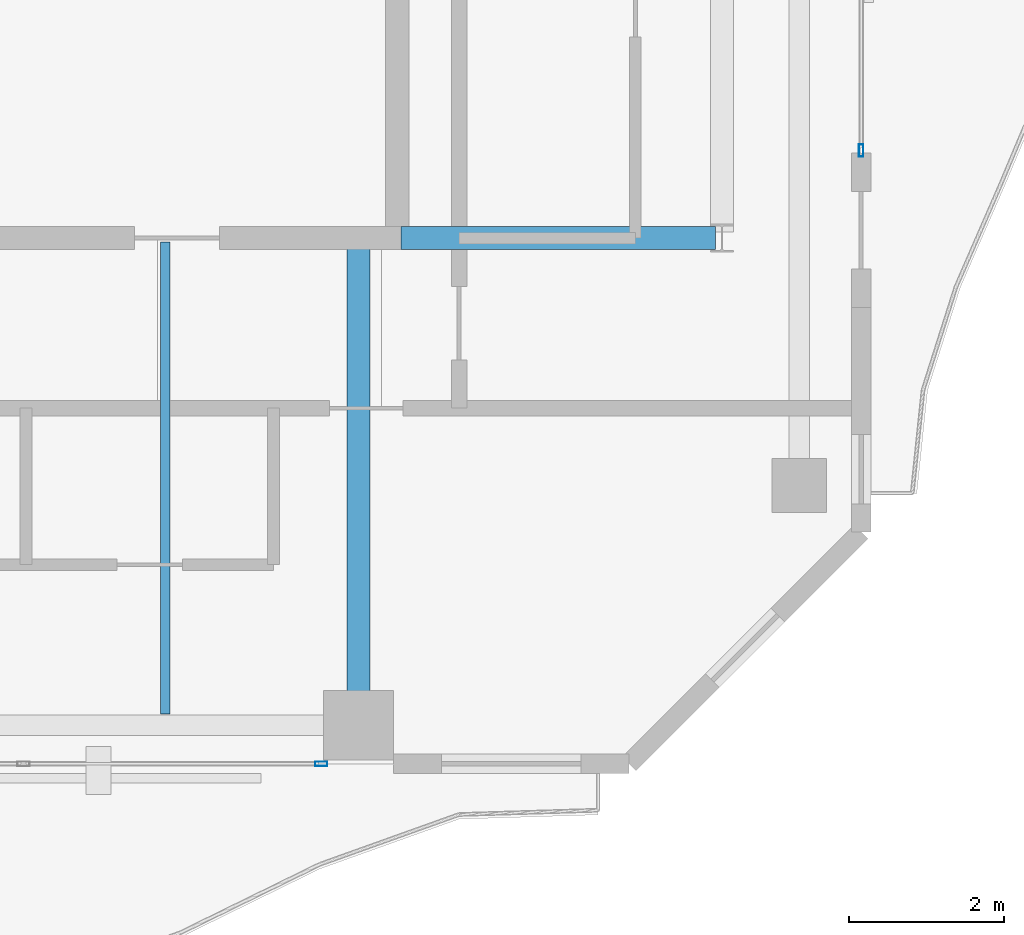
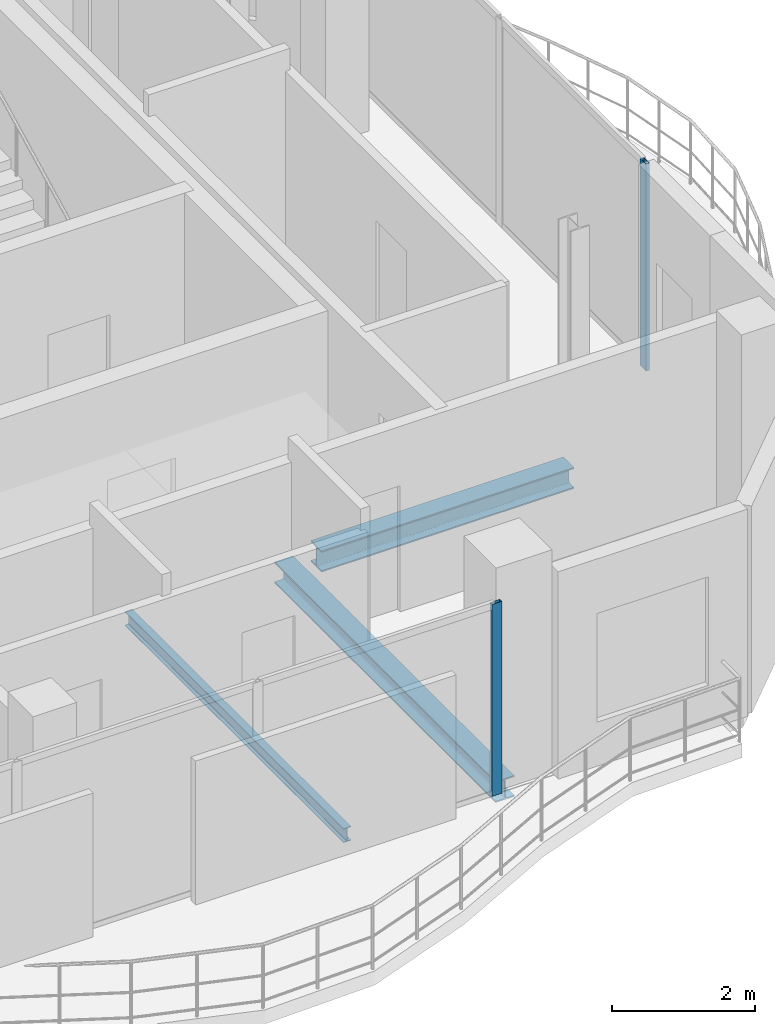
# One storey, part 14 of 22: 3 beams, 2 members, 2 elements without a shape of their own.
"""IFC4 building model written with IfcOpenShell, lengths in metres."""

import ifcopenshell
import ifcopenshell.guid

model = None  # the IFC model being written
_history = None  # IfcOwnerHistory: only IFC2X3 demands one
_inside = {}  # id of a spatial element -> (the spatial element, [elements in it])
_under = {}  # id of a project, library or spatial element -> (it, [spatial elements below it])
_declared = {}  # id of a project -> (the project, [libraries it declares])
_typed = {}  # id of a type object -> (the type object, [elements of that type])
_made_of = {}  # id of a material, layer set ... -> (it, [elements and type objects made of it])


def new_model(schema):
    """Start an empty IFC model of exactly this schema.

    Asked for "IFC4X3", IfcOpenShell would pick the latest addendum, in which some entities
    have other attributes; the version numbers below select the first issue.
    IFC2X3 requires an IfcOwnerHistory on every rooted entity: one is made here for all.
    """
    global model, _history
    if schema == "IFC4X3":
        model = ifcopenshell.file(schema_version=(4, 3, 0, 0))
    else:
        model = ifcopenshell.file(schema=schema)
    _inside.clear()
    _under.clear()
    _declared.clear()
    _typed.clear()
    _made_of.clear()
    _history = None
    if model.schema == "IFC2X3":
        org = make("IfcOrganization", Name="unknown")
        user = make(
            "IfcPersonAndOrganization",
            ThePerson=make("IfcPerson", FamilyName="unknown"),
            TheOrganization=org,
        )
        app = make(
            "IfcApplication",
            ApplicationDeveloper=org,
            Version="unknown",
            ApplicationFullName="unknown",
            ApplicationIdentifier="unknown",
        )
        _history = make(
            "IfcOwnerHistory",
            OwningUser=user,
            OwningApplication=app,
            ChangeAction="ADDED",
            CreationDate=0,
        )
    return model


def make(cls, **values):
    """One entity of the class cls with the attributes given. An attribute that is None is left unset."""
    return model.create_entity(
        cls, **{name: value for name, value in values.items() if value is not None}
    )


def rooted(cls, **values):
    """An entity with a GlobalId (a new one), such as an element, a storey or a relation."""
    return make(cls, GlobalId=ifcopenshell.guid.new(), OwnerHistory=_history, **values)


def si_unit(unit_type, name, prefix=None):
    """IfcSIUnit, for example si_unit("LENGTHUNIT", "METRE", prefix="MILLI")."""
    return make("IfcSIUnit", UnitType=unit_type, Prefix=prefix, Name=name)


def assignment(units):
    """IfcUnitAssignment: the units of a project."""
    return None if units is None else make("IfcUnitAssignment", Units=units)


def point(xyz):
    """IfcCartesianPoint."""
    return None if xyz is None else make("IfcCartesianPoint", Coordinates=xyz)


def direction(xyz):
    """IfcDirection."""
    return None if xyz is None else make("IfcDirection", DirectionRatios=xyz)


def frame(location, z_axis=None, x_axis=None):
    """IfcAxis2Placement3D, a coordinate frame: its origin and axes. An axis left out is left unset."""
    return make(
        "IfcAxis2Placement3D",
        Location=point(location),
        Axis=direction(z_axis),
        RefDirection=direction(x_axis),
    )


def frame_2d(location, x_axis=None):
    """IfcAxis2Placement2D, a coordinate frame in the plane: its origin and x axis."""
    return make(
        "IfcAxis2Placement2D", Location=point(location), RefDirection=direction(x_axis)
    )


def origin():
    """The frame at (0, 0, 0) with its axes left unset."""
    return frame((0.0, 0.0, 0.0))


def origin_2d():
    """The frame at (0, 0) in the plane with its x axis left unset."""
    return frame_2d((0.0, 0.0))


def place(relative_to, where):
    """IfcLocalPlacement: puts the frame where relative to a parent placement (None: the world)."""
    return make(
        "IfcLocalPlacement", PlacementRelTo=relative_to, RelativePlacement=where
    )


def context(
    kind, dimensions, precision=None, world=None, true_north=None, identifier=None
):
    """IfcGeometricRepresentationContext, for example the 3D "Model" context."""
    return make(
        "IfcGeometricRepresentationContext",
        ContextIdentifier=identifier,
        ContextType=kind,
        CoordinateSpaceDimension=dimensions,
        Precision=precision,
        WorldCoordinateSystem=world,
        TrueNorth=true_north,
    )


def subcontext(parent, identifier, kind, view, scale=None):
    """IfcGeometricRepresentationSubContext, for example "Body" below "Model"."""
    return make(
        "IfcGeometricRepresentationSubContext",
        ContextIdentifier=identifier,
        ContextType=kind,
        ParentContext=parent,
        TargetScale=scale,
        TargetView=view,
    )


def project(units=None, contexts=None):
    """IfcProject with its units and contexts."""
    return rooted(
        "IfcProject",
        Name="project",
        RepresentationContexts=contexts,
        UnitsInContext=assignment(units),
    )


def spatial(cls, under=None, at=None, **own):
    """A site, building, storey or space (cls), placed at a placement, below another one or the project."""
    s = rooted(cls, ObjectPlacement=at, **own)
    if under is not None:
        _under.setdefault(under.id(), (under, []))[1].append(s)
    return s


def profile(cls, at=None, kind="AREA", **sizes):
    """A parametric profile (cls). Its sizes go by their IFC names, for example OverallWidth=200.0."""
    return make(cls, ProfileType=kind, Position=at, **sizes)


def hollow_rectangle(**sizes):
    """IfcRectangleHollowProfileDef."""
    return profile("IfcRectangleHollowProfileDef", **sizes)


def i_section(**sizes):
    """IfcIShapeProfileDef."""
    return profile("IfcIShapeProfileDef", **sizes)


def extrude(swept, where, along, depth):
    """IfcExtrudedAreaSolid: the profile swept, set in the frame where, extruded along a direction by depth."""
    return make(
        "IfcExtrudedAreaSolid",
        SweptArea=swept,
        Position=where,
        ExtrudedDirection=direction(along),
        Depth=depth,
    )


def shape(context_of_items, identifier, shape_type, items):
    """IfcShapeRepresentation: the items that make up one representation, for example the "Body"."""
    return make(
        "IfcShapeRepresentation",
        ContextOfItems=context_of_items,
        RepresentationIdentifier=identifier,
        RepresentationType=shape_type,
        Items=items,
    )


def material(Name=None, Category=None):
    """IfcMaterial."""
    return make("IfcMaterial", Name=Name, Category=Category)


def layer(
    of_material, thickness, ventilated=None, Name=None, Category=None, Priority=None
):
    """IfcMaterialLayer: one layer of a wall or slab, of a material (None: an air gap)."""
    return make(
        "IfcMaterialLayer",
        Material=of_material,
        LayerThickness=thickness,
        IsVentilated=ventilated,
        Name=Name,
        Category=Category,
        Priority=Priority,
    )


def layer_set(layers, Name=None):
    """IfcMaterialLayerSet."""
    return make("IfcMaterialLayerSet", MaterialLayers=layers, LayerSetName=Name)


def material_profile(
    of_material, cross_section, Name=None, Category=None, Priority=None
):
    """IfcMaterialProfile: a cross section and its material."""
    return make(
        "IfcMaterialProfile",
        Name=Name,
        Material=of_material,
        Profile=cross_section,
        Priority=Priority,
        Category=Category,
    )


def profile_set(profiles, Name=None, composite=None):
    """IfcMaterialProfileSet."""
    return make(
        "IfcMaterialProfileSet",
        Name=Name,
        MaterialProfiles=profiles,
        CompositeProfile=composite,
    )


def made_of(thing, what):
    """Note that an element or type object is made of a material, layer set ...; save() writes the relation."""
    if what is not None:
        _made_of.setdefault(what.id(), (what, []))[1].append(thing)
    return thing


def type_object(cls, material=None, **own):
    """A type object (cls), such as IfcWallType, which elements share."""
    return made_of(rooted(cls, **own), material)


def element(
    cls,
    number,
    at=None,
    inside=None,
    cuts=None,
    type_object=None,
    material=None,
    context=None,
    identifier="Body",
    shape_type=None,
    held_by="IfcProductDefinitionShape",
    body=None,
    shapes=None,
    **own,
):
    """One element of the class cls, such as IfcWall. Its Tag is "e" and its number.

    at: its placement. inside: the storey or other place that contains it. cuts: it is an
    opening in that element (IfcRelVoidsElement). A single representation is given by context,
    identifier, shape_type and body (its items); several are given by shapes. held_by: the class
    of the entity that holds the representations. save() writes the other relations.
    """
    e = rooted(cls, Tag="e%d" % number, ObjectPlacement=at, **own)
    if body is not None:
        shapes = [shape(context, identifier, shape_type, body)]
    if shapes is not None:
        e.Representation = make(held_by, Representations=shapes)
    if inside is not None:
        _inside.setdefault(inside.id(), (inside, []))[1].append(e)
    if cuts is not None:
        rooted(
            "IfcRelVoidsElement", RelatingBuildingElement=cuts, RelatedOpeningElement=e
        )
    if type_object is not None:
        _typed.setdefault(type_object.id(), (type_object, []))[1].append(e)
    return made_of(e, material)


def aggregate(whole, parts):
    """IfcRelAggregates: a whole, such as a stair, and the parts it consists of."""
    return rooted("IfcRelAggregates", RelatingObject=whole, RelatedObjects=parts)


def save(model, path):
    """Write the relations noted so far, then the file.

    IfcRelAggregates (storeys below a building ...), IfcRelContainedInSpatialStructure (elements
    in a storey), IfcRelDefinesByType, IfcRelAssociatesMaterial and IfcRelDeclares: one each for
    every whole, place, type object, material and project.
    """
    for whole, parts in _under.values():
        aggregate(whole, parts)
    for where, things in _inside.values():
        rooted(
            "IfcRelContainedInSpatialStructure",
            RelatedElements=things,
            RelatingStructure=where,
        )
    for kind, things in _typed.values():
        rooted("IfcRelDefinesByType", RelatedObjects=things, RelatingType=kind)
    for what, things in _made_of.values():
        rooted("IfcRelAssociatesMaterial", RelatedObjects=things, RelatingMaterial=what)
    for by, libraries in _declared.values():
        rooted("IfcRelDeclares", RelatingContext=by, RelatedDefinitions=libraries)
    model.write(path)


model = new_model("IFC4")

# Units and contexts
model_context = context("Model", 3, precision=1e-05, world=origin(), true_north=direction((0.0, 1.0)))
body_context = subcontext(model_context, "Body", "Model", "MODEL_VIEW")
ifc_project = project(units=[si_unit("LENGTHUNIT", "METRE"), si_unit("AREAUNIT", "SQUARE_METRE"), si_unit("VOLUMEUNIT", "CUBIC_METRE"), si_unit("PLANEANGLEUNIT", "RADIAN"), si_unit("MASSUNIT", "GRAM", prefix="KILO")], contexts=[model_context])

# Site, building, storey
site_placement = place(None, origin())
site = spatial("IfcSite", under=ifc_project, at=site_placement, CompositionType="ELEMENT")
building_placement = place(site_placement, origin())
building = spatial("IfcBuilding", under=site, at=building_placement, Name="Catumbela Crestline Tower", CompositionType="ELEMENT")
storey_placement = place(building_placement, frame((0.0, 0.0, 260.2)))
storey = spatial("IfcBuildingStorey", under=building, at=storey_placement, Name="L67", CompositionType="ELEMENT", Elevation=260.2)

# Beams
ifc_material_1 = material(Name="Structural steel S355J2", Category="steel")
ifc_material_profile_1 = material_profile(ifc_material_1, i_section(OverallWidth=0.3, OverallDepth=0.36, WebThickness=0.0125, FlangeThickness=0.0225, FilletRadius=0.027, at=origin_2d()), Name="HEB 360")
ifc_profile_set_1 = profile_set([ifc_material_profile_1], Name="Structural steel S355J2")
beam_type_1 = type_object("IfcBeamType", Name="BG-HEB360", PredefinedType="BEAM", material=ifc_profile_set_1)
beam_1_placement = place(storey_placement, frame((40.05, 30.8, -0.44), z_axis=(1.0, 0.0, 0.0), x_axis=(0.0, 1.0, 0.0)))
element("IfcBeam", 1, at=beam_1_placement, inside=storey, type_object=beam_type_1, Name="L67 Beam BM-L67-M08", PredefinedType="BEAM", context=body_context, shape_type="SweptSolid", body=[
    extrude(i_section(OverallWidth=0.3, OverallDepth=0.36, WebThickness=0.0125, FlangeThickness=0.0225, FilletRadius=0.027, at=origin_2d()), origin(), (0.0, 0.0, 1.0), 4.07),
])
beam_2_placement = place(storey_placement, frame((39.5, 24.58, -0.44), z_axis=(0.0, 1.0, 0.0), x_axis=(-1.0, 0.0, 0.0)))
element("IfcBeam", 2, at=beam_2_placement, inside=storey, type_object=beam_type_1, Name="L67 Beam BM-L67-SNS18", PredefinedType="BEAM", context=body_context, shape_type="SweptSolid", body=[
    extrude(i_section(OverallWidth=0.3, OverallDepth=0.36, WebThickness=0.0125, FlangeThickness=0.0225, FilletRadius=0.027, at=origin_2d()), origin(), (0.0, 0.0, 1.0), 6.17),
])
ifc_material_profile_2 = material_profile(ifc_material_1, i_section(OverallWidth=0.12, OverallDepth=0.24, WebThickness=0.0062, FlangeThickness=0.0098, FilletRadius=0.015, at=origin_2d()), Name="IPE 240")
ifc_profile_set_2 = profile_set([ifc_material_profile_2], Name="Structural steel S355J2")
beam_type_2 = type_object("IfcBeamType", Name="BJ-IPE240", PredefinedType="JOIST", material=ifc_profile_set_2)
beam_3_placement = place(storey_placement, frame((37.0, 24.647, -0.38), z_axis=(0.0, 1.0, 0.0), x_axis=(-1.0, 0.0, 0.0)))
element("IfcBeam", 3, at=beam_3_placement, inside=storey, type_object=beam_type_2, Name="L67 Joist JS-L67-SP26", PredefinedType="JOIST", context=body_context, shape_type="SweptSolid", body=[
    extrude(i_section(OverallWidth=0.12, OverallDepth=0.24, WebThickness=0.0062, FlangeThickness=0.0098, FilletRadius=0.015, at=origin_2d()), origin(), (0.0, 0.0, 1.0), 6.103),
])

# Curtain wall, member
ifc_material_2 = material(Name="Aluminium alloy AW-6060-T66", Category="aluminium")
ifc_layer = layer(ifc_material_2, 0.18, Name="Aluminium alloy AW-6060-T66")
ifc_layer_set = layer_set([ifc_layer], Name="Aluminium alloy AW-6060-T66")
curtain_wall_type = type_object("IfcCurtainWallType", Name="CWU-Z4", PredefinedType="USERDEFINED", material=ifc_layer_set)
curtain_wall_1_placement = place(storey_placement, origin())
curtain_wall_1 = element("IfcCurtainWall", 4, at=curtain_wall_1_placement, inside=storey, type_object=curtain_wall_type, Name="L67 Unitised Curtain Wall CW-L67-E3S2", ObjectType="UNITISED", PredefinedType="USERDEFINED")
ifc_material_profile_3 = material_profile(ifc_material_2, hollow_rectangle(XDim=0.06, YDim=0.16, WallThickness=0.004, at=origin_2d()), Name="ALU 160x60x4")
ifc_profile_set_3 = profile_set([ifc_material_profile_3], Name="Aluminium alloy AW-6060-T66")
member_type = type_object("IfcMemberType", Name="MUL-160X60", PredefinedType="MULLION", material=ifc_profile_set_3)
member_1_placement = place(storey_placement, frame((39.0175, 24.0, 0.0), z_axis=(0.0, 0.0, 1.0), x_axis=(0.0, 1.0, 0.0)))
member_1 = element("IfcMember", 5, at=member_1_placement, type_object=member_type, Name="CWU-Z4 mullion 4", PredefinedType="MULLION", context=body_context, shape_type="SweptSolid", body=[
    extrude(hollow_rectangle(XDim=0.06, YDim=0.16, WallThickness=0.004, at=origin_2d()), origin(), (0.0, 0.0, 1.0), 3.27),
])
aggregate(curtain_wall_1, [member_1])

curtain_wall_2_placement = place(storey_placement, origin())
curtain_wall_2 = element("IfcCurtainWall", 6, at=curtain_wall_2_placement, inside=storey, type_object=curtain_wall_type, Name="L67 Unitised Curtain Wall CW-L67-E5S2", ObjectType="UNITISED", PredefinedType="USERDEFINED")
member_2_placement = place(storey_placement, frame((46.0, 31.9325, 0.0), z_axis=(0.0, 0.0, 1.0), x_axis=(-1.0, 0.0, 0.0)))
member_2 = element("IfcMember", 7, at=member_2_placement, type_object=member_type, Name="CWU-Z4 mullion 1", PredefinedType="MULLION", context=body_context, shape_type="SweptSolid", body=[
    extrude(hollow_rectangle(XDim=0.06, YDim=0.16, WallThickness=0.004, at=origin_2d()), origin(), (0.0, 0.0, 1.0), 3.53),
])
aggregate(curtain_wall_2, [member_2])

save(model, "model.ifc")
